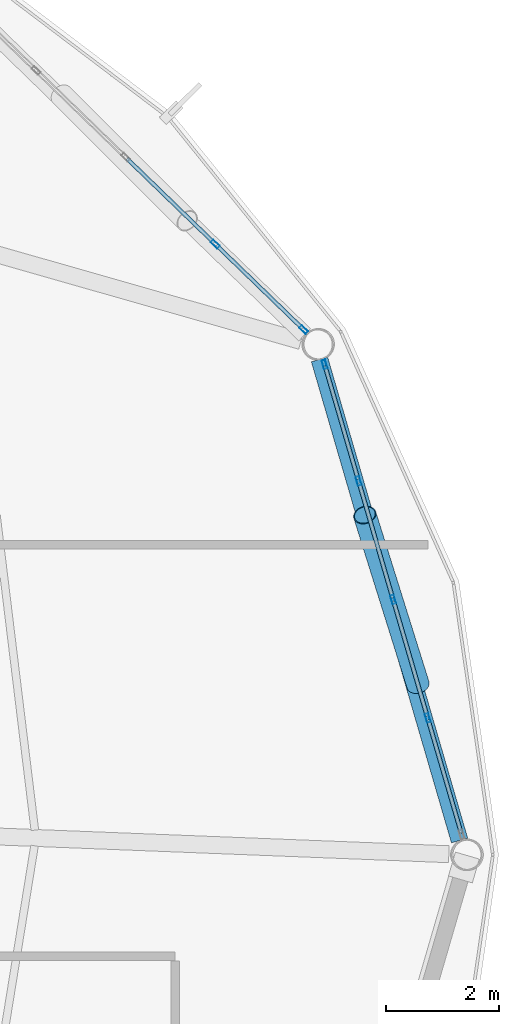
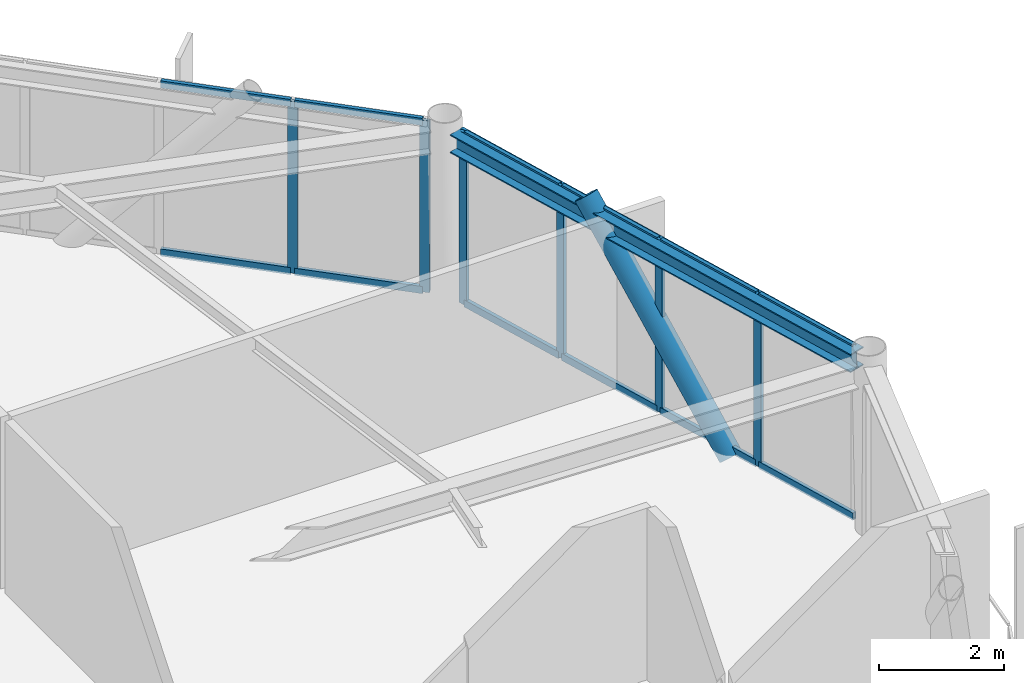
# One storey, part 17 of 27: 19 members, 1 beam, 2 elements without a shape of their own.
"""IFC4 building model written with IfcOpenShell, lengths in metres."""

from ifc_helpers import new_model, si_unit, direction, frame, origin, origin_2d, place, context, subcontext, project, spatial, hollow_rectangle, hollow_circle, i_section, extrude, material, layer, layer_set, material_profile, profile_set, type_object, element, aggregate, save


model = new_model("IFC4")

# Units and contexts
model_context = context("Model", 3, precision=1e-05, world=origin(), true_north=direction((0.0, 1.0)))
body_context = subcontext(model_context, "Body", "Model", "MODEL_VIEW")
ifc_project = project(units=[si_unit("LENGTHUNIT", "METRE"), si_unit("AREAUNIT", "SQUARE_METRE"), si_unit("VOLUMEUNIT", "CUBIC_METRE"), si_unit("PLANEANGLEUNIT", "RADIAN"), si_unit("MASSUNIT", "GRAM", prefix="KILO")], contexts=[model_context])

# Site, building, storey
site_placement = place(None, origin())
site = spatial("IfcSite", under=ifc_project, at=site_placement, CompositionType="ELEMENT")
building_placement = place(site_placement, origin())
building = spatial("IfcBuilding", under=site, at=building_placement, Name="Varnakorn Sky Granary", CompositionType="ELEMENT")
storey_placement = place(building_placement, frame((0.0, 0.0, 229.199951171875)))
storey = spatial("IfcBuildingStorey", under=building, at=storey_placement, Name="L58", CompositionType="ELEMENT", Elevation=229.199951171875)

# Beam
ifc_material_1 = material(Name="Steel S355JR", Category="steel")
ifc_material_profile_1 = material_profile(ifc_material_1, i_section(OverallWidth=0.300048828125, OverallDepth=0.360107421875, WebThickness=0.012451171875, FlangeThickness=0.0224609375, at=origin_2d()), Name="HE 360 B")
ifc_profile_set_1 = profile_set([ifc_material_profile_1], Name="Steel S355JR")
beam_type = type_object("IfcBeamType", Name="BM-SPD-Z5", PredefinedType="SPANDREL", material=ifc_profile_set_1)
beam_placement = place(storey_placement, frame((23.5419921875, 0.25390625, 3.179931640625), z_axis=(-0.279549304116, 0.960131338187, 0.0), x_axis=(-0.960131338187, -0.279549304116, 0.0)))
element("IfcBeam", 1, at=beam_placement, inside=storey, type_object=beam_type, Name="Perimeter Spandrel Ring Beam RB01 L58", PredefinedType="SPANDREL", context=body_context, shape_type="SweptSolid", body=[
    extrude(i_section(OverallWidth=0.300048828125, OverallDepth=0.360107421875, WebThickness=0.012451171875, FlangeThickness=0.0224609375, at=origin_2d()), origin(), (0.0, 0.0, 1.0), 8.8828125),
])

# Curtain wall, members
ifc_material_2 = material(Name="Anodised Bronze Aluminium Alloy 6063-T6", Category="aluminium")
ifc_layer = layer(ifc_material_2, 0.169921875, Name="Anodised Bronze Aluminium Alloy 6063-T6")
ifc_layer_set = layer_set([ifc_layer], Name="Anodised Bronze Aluminium Alloy 6063-T6")
curtain_wall_type = type_object("IfcCurtainWallType", Name="CW-LAB-1", PredefinedType="USERDEFINED", material=ifc_layer_set)
curtain_wall_1_placement = place(storey_placement, origin())
curtain_wall_1 = element("IfcCurtainWall", 2, at=curtain_wall_1_placement, inside=storey, type_object=curtain_wall_type, Name="Unitised Curtain Wall CW5 CW-L58-B01", ObjectType="CURTAIN WALL", PredefinedType="USERDEFINED")
ifc_material_profile_2 = material_profile(ifc_material_2, hollow_rectangle(XDim=0.06494140625, YDim=0.159912109375, WallThickness=0.00341796875, at=origin_2d()), Name="ALU MULL 65x160")
ifc_profile_set_2 = profile_set([ifc_material_profile_2], Name="Anodised Bronze Aluminium Alloy 6063-T6")
member_type_1 = type_object("IfcMemberType", Name="CW-LAB-1-MULL", PredefinedType="MULLION", material=ifc_profile_set_2)
member_1_placement = place(storey_placement, frame((21.14794921875, 8.6962890625, 0.0), z_axis=(0.0, 0.0, 1.0), x_axis=(0.96000908574, 0.27996884701, 0.0)))
member_1 = element("IfcMember", 3, at=member_1_placement, type_object=member_type_1, Name="CW5 mullion 1", PredefinedType="MULLION", context=body_context, shape_type="SweptSolid", body=[
    extrude(hollow_rectangle(XDim=0.06494140625, YDim=0.159912109375, WallThickness=0.00341796875, at=origin_2d()), origin(), (0.0, 0.0, 1.0), 3.360107421875),
])
member_2_placement = place(storey_placement, frame((21.75146484375, 6.627197265625, 0.0), z_axis=(0.0, 0.0, 1.0), x_axis=(0.96000908574, 0.27996884701, 0.0)))
member_2 = element("IfcMember", 4, at=member_2_placement, type_object=member_type_1, Name="CW5 mullion 2", PredefinedType="MULLION", context=body_context, shape_type="SweptSolid", body=[
    extrude(hollow_rectangle(XDim=0.06494140625, YDim=0.159912109375, WallThickness=0.00341796875, at=origin_2d()), origin(), (0.0, 0.0, 1.0), 3.360107421875),
])
member_3_placement = place(storey_placement, frame((22.364013671875, 4.52685546875, 0.0), z_axis=(0.0, 0.0, 1.0), x_axis=(0.96000908574, 0.27996884701, 0.0)))
member_3 = element("IfcMember", 5, at=member_3_placement, type_object=member_type_1, Name="CW5 mullion 3", PredefinedType="MULLION", context=body_context, shape_type="SweptSolid", body=[
    extrude(hollow_rectangle(XDim=0.06494140625, YDim=0.159912109375, WallThickness=0.00341796875, at=origin_2d()), origin(), (0.0, 0.0, 1.0), 3.360107421875),
])
member_4_placement = place(storey_placement, frame((22.9765625, 2.42626953125, 0.0), z_axis=(0.0, 0.0, 1.0), x_axis=(0.96000908574, 0.27996884701, 0.0)))
member_4 = element("IfcMember", 6, at=member_4_placement, type_object=member_type_1, Name="CW5 mullion 4", PredefinedType="MULLION", context=body_context, shape_type="SweptSolid", body=[
    extrude(hollow_rectangle(XDim=0.06494140625, YDim=0.159912109375, WallThickness=0.00341796875, at=origin_2d()), origin(), (0.0, 0.0, 1.0), 3.360107421875),
])

curtain_wall_2_placement = place(storey_placement, origin())
curtain_wall_2 = element("IfcCurtainWall", 7, at=curtain_wall_2_placement, inside=storey, type_object=curtain_wall_type, Name="Unitised Curtain Wall CW5 CW-L58-B02", ObjectType="CURTAIN WALL", PredefinedType="USERDEFINED")
member_5_placement = place(storey_placement, frame((19.210693359375, 10.82861328125, 0.0), z_axis=(0.0, 0.0, 1.0), x_axis=(0.695640153276, 0.718390407195, 0.0)))
member_5 = element("IfcMember", 8, at=member_5_placement, type_object=member_type_1, Name="CW5 mullion 4", PredefinedType="MULLION", context=body_context, shape_type="SweptSolid", body=[
    extrude(hollow_rectangle(XDim=0.06494140625, YDim=0.159912109375, WallThickness=0.00341796875, at=origin_2d()), origin(), (0.0, 0.0, 1.0), 3.360107421875),
])
member_6_placement = place(storey_placement, frame((20.776611328125, 9.312255859375, 0.0), z_axis=(0.0, 0.0, 1.0), x_axis=(0.695640153276, 0.718390407195, 0.0)))
member_6 = element("IfcMember", 9, at=member_6_placement, type_object=member_type_1, Name="CW5 mullion 5", PredefinedType="MULLION", context=body_context, shape_type="SweptSolid", body=[
    extrude(hollow_rectangle(XDim=0.06494140625, YDim=0.159912109375, WallThickness=0.00341796875, at=origin_2d()), origin(), (0.0, 0.0, 1.0), 3.360107421875),
])

# Member
ifc_material_profile_3 = material_profile(ifc_material_2, hollow_rectangle(XDim=0.070068359375, YDim=0.139892578125, WallThickness=0.00341796875, at=origin_2d()), Name="ALU TRAN 70x140")
ifc_profile_set_3 = profile_set([ifc_material_profile_3], Name="Anodised Bronze Aluminium Alloy 6063-T6")
member_type_2 = type_object("IfcMemberType", Name="CW-LAB-1-TRAN", PredefinedType="USERDEFINED", material=ifc_profile_set_3)
member_7_placement = place(storey_placement, frame((21.156982421875, 8.665283203125, 0.03515625), z_axis=(0.279946182622, -0.960015695099, 0.0), x_axis=(0.960015695099, 0.279946182622, 0.0)))
member_7 = element("IfcMember", 10, at=member_7_placement, type_object=member_type_2, Name="CW5 transom 1.1", ObjectType="TRANSOM", PredefinedType="USERDEFINED", context=body_context, shape_type="SweptSolid", body=[
    extrude(hollow_rectangle(XDim=0.070068359375, YDim=0.139892578125, WallThickness=0.00341796875, at=origin_2d()), origin(), (0.0, 0.0, 1.0), 2.09033203125),
])

member_8_placement = place(storey_placement, frame((21.156982421875, 8.665283203125, 3.324951171875), z_axis=(0.279946182622, -0.960015695099, 0.0), x_axis=(0.960015695099, 0.279946182622, 0.0)))
member_8 = element("IfcMember", 11, at=member_8_placement, type_object=member_type_2, Name="CW5 transom 1.2", ObjectType="TRANSOM", PredefinedType="USERDEFINED", context=body_context, shape_type="SweptSolid", body=[
    extrude(hollow_rectangle(XDim=0.070068359375, YDim=0.139892578125, WallThickness=0.00341796875, at=origin_2d()), origin(), (0.0, 0.0, 1.0), 2.09033203125),
])

member_9_placement = place(storey_placement, frame((21.760498046875, 6.595947265625, 0.03515625), z_axis=(0.279911678285, -0.960025756092, 0.0), x_axis=(0.960025756092, 0.279911678285, 0.0)))
member_9 = element("IfcMember", 12, at=member_9_placement, type_object=member_type_2, Name="CW5 transom 2.1", ObjectType="TRANSOM", PredefinedType="USERDEFINED", context=body_context, shape_type="SweptSolid", body=[
    extrude(hollow_rectangle(XDim=0.070068359375, YDim=0.139892578125, WallThickness=0.00341796875, at=origin_2d()), origin(), (0.0, 0.0, 1.0), 2.123046875),
])

member_10_placement = place(storey_placement, frame((21.760498046875, 6.595947265625, 3.324951171875), z_axis=(0.279911678285, -0.960025756092, 0.0), x_axis=(0.960025756092, 0.279911678285, 0.0)))
member_10 = element("IfcMember", 13, at=member_10_placement, type_object=member_type_2, Name="CW5 transom 2.2", ObjectType="TRANSOM", PredefinedType="USERDEFINED", context=body_context, shape_type="SweptSolid", body=[
    extrude(hollow_rectangle(XDim=0.070068359375, YDim=0.139892578125, WallThickness=0.00341796875, at=origin_2d()), origin(), (0.0, 0.0, 1.0), 2.123046875),
])

member_11_placement = place(storey_placement, frame((22.373046875, 4.49560546875, 0.03515625), z_axis=(0.279911678285, -0.960025756092, 0.0), x_axis=(0.960025756092, 0.279911678285, 0.0)))
member_11 = element("IfcMember", 14, at=member_11_placement, type_object=member_type_2, Name="CW5 transom 3.1", ObjectType="TRANSOM", PredefinedType="USERDEFINED", context=body_context, shape_type="SweptSolid", body=[
    extrude(hollow_rectangle(XDim=0.070068359375, YDim=0.139892578125, WallThickness=0.00341796875, at=origin_2d()), origin(), (0.0, 0.0, 1.0), 2.123046875),
])

member_12_placement = place(storey_placement, frame((22.373046875, 4.49560546875, 3.324951171875), z_axis=(0.279911678285, -0.960025756092, 0.0), x_axis=(0.960025756092, 0.279911678285, 0.0)))
member_12 = element("IfcMember", 15, at=member_12_placement, type_object=member_type_2, Name="CW5 transom 3.2", ObjectType="TRANSOM", PredefinedType="USERDEFINED", context=body_context, shape_type="SweptSolid", body=[
    extrude(hollow_rectangle(XDim=0.070068359375, YDim=0.139892578125, WallThickness=0.00341796875, at=origin_2d()), origin(), (0.0, 0.0, 1.0), 2.123046875),
])

member_13_placement = place(storey_placement, frame((22.985595703125, 2.39501953125, 0.03515625), z_axis=(0.279946182622, -0.960015695099, 0.0), x_axis=(0.960015695099, 0.279946182622, 0.0)))
member_13 = element("IfcMember", 16, at=member_13_placement, type_object=member_type_2, Name="CW5 transom 4.1", ObjectType="TRANSOM", PredefinedType="USERDEFINED", context=body_context, shape_type="SweptSolid", body=[
    extrude(hollow_rectangle(XDim=0.070068359375, YDim=0.139892578125, WallThickness=0.00341796875, at=origin_2d()), origin(), (0.0, 0.0, 1.0), 2.09033203125),
])

member_14_placement = place(storey_placement, frame((22.985595703125, 2.39501953125, 3.324951171875), z_axis=(0.279946182622, -0.960015695099, 0.0), x_axis=(0.960015695099, 0.279946182622, 0.0)))
member_14 = element("IfcMember", 17, at=member_14_placement, type_object=member_type_2, Name="CW5 transom 4.2", ObjectType="TRANSOM", PredefinedType="USERDEFINED", context=body_context, shape_type="SweptSolid", body=[
    extrude(hollow_rectangle(XDim=0.070068359375, YDim=0.139892578125, WallThickness=0.00341796875, at=origin_2d()), origin(), (0.0, 0.0, 1.0), 2.09033203125),
])

aggregate(curtain_wall_1, [member_1, member_2, member_3, member_4, member_7, member_8, member_9, member_10, member_11, member_12, member_13, member_14])

member_15_placement = place(storey_placement, frame((17.64501953125, 12.3447265625, 0.03515625), z_axis=(0.718385817719, -0.695644892815, 0.0), x_axis=(0.695644892815, 0.718385817719, 0.0)))
member_15 = element("IfcMember", 18, at=member_15_placement, type_object=member_type_2, Name="CW5 transom 3.1", ObjectType="TRANSOM", PredefinedType="USERDEFINED", context=body_context, shape_type="SweptSolid", body=[
    extrude(hollow_rectangle(XDim=0.070068359375, YDim=0.139892578125, WallThickness=0.00341796875, at=origin_2d()), origin(), (0.0, 0.0, 1.0), 2.147216796875),
])

member_16_placement = place(storey_placement, frame((17.64501953125, 12.3447265625, 3.324951171875), z_axis=(0.718385817719, -0.695644892815, 0.0), x_axis=(0.695644892815, 0.718385817719, 0.0)))
member_16 = element("IfcMember", 19, at=member_16_placement, type_object=member_type_2, Name="CW5 transom 3.2", ObjectType="TRANSOM", PredefinedType="USERDEFINED", context=body_context, shape_type="SweptSolid", body=[
    extrude(hollow_rectangle(XDim=0.070068359375, YDim=0.139892578125, WallThickness=0.00341796875, at=origin_2d()), origin(), (0.0, 0.0, 1.0), 2.147216796875),
])

member_17_placement = place(storey_placement, frame((19.234130859375, 10.805908203125, 0.03515625), z_axis=(0.718388064337, -0.695642572747, 0.0), x_axis=(0.695642572747, 0.718388064337, 0.0)))
member_17 = element("IfcMember", 20, at=member_17_placement, type_object=member_type_2, Name="CW5 transom 4.1", ObjectType="TRANSOM", PredefinedType="USERDEFINED", context=body_context, shape_type="SweptSolid", body=[
    extrude(hollow_rectangle(XDim=0.070068359375, YDim=0.139892578125, WallThickness=0.00341796875, at=origin_2d()), origin(), (0.0, 0.0, 1.0), 2.114501953125),
])

member_18_placement = place(storey_placement, frame((19.234130859375, 10.805908203125, 3.324951171875), z_axis=(0.718388064337, -0.695642572747, 0.0), x_axis=(0.695642572747, 0.718388064337, 0.0)))
member_18 = element("IfcMember", 21, at=member_18_placement, type_object=member_type_2, Name="CW5 transom 4.2", ObjectType="TRANSOM", PredefinedType="USERDEFINED", context=body_context, shape_type="SweptSolid", body=[
    extrude(hollow_rectangle(XDim=0.070068359375, YDim=0.139892578125, WallThickness=0.00341796875, at=origin_2d()), origin(), (0.0, 0.0, 1.0), 2.114501953125),
])

aggregate(curtain_wall_2, [member_5, member_6, member_15, member_16, member_17, member_18])

ifc_material_3 = material(Name="Steel S460M", Category="steel")
ifc_material_profile_4 = material_profile(ifc_material_3, hollow_circle(Radius=0.203125, WallThickness=0.01611328125, at=origin_2d()), Name="CHS 406.4x16")
ifc_profile_set_4 = profile_set([ifc_material_profile_4], Name="Steel S460M")
member_type_3 = type_object("IfcMemberType", Name="MB-DIAG-T4", PredefinedType="BRACE", material=ifc_profile_set_4)
member_19_placement = place(storey_placement, frame((22.803955078125, 3.017822265625, -0.1298828125), z_axis=(-0.196318513905, 0.626499740539, 0.754292460656), x_axis=(-0.954246675681, -0.299020537674, 0.0)))
element("IfcMember", 22, at=member_19_placement, inside=storey, type_object=member_type_3, Name="Perimeter CHS Diagrid Brace DG01 L58", PredefinedType="BRACE", context=body_context, shape_type="SweptSolid", body=[
    extrude(hollow_circle(Radius=0.203125, WallThickness=0.01611328125, at=origin_2d()), origin(), (0.0, 0.0, 1.0), 4.799072265625),
])

save(model, "model.ifc")
